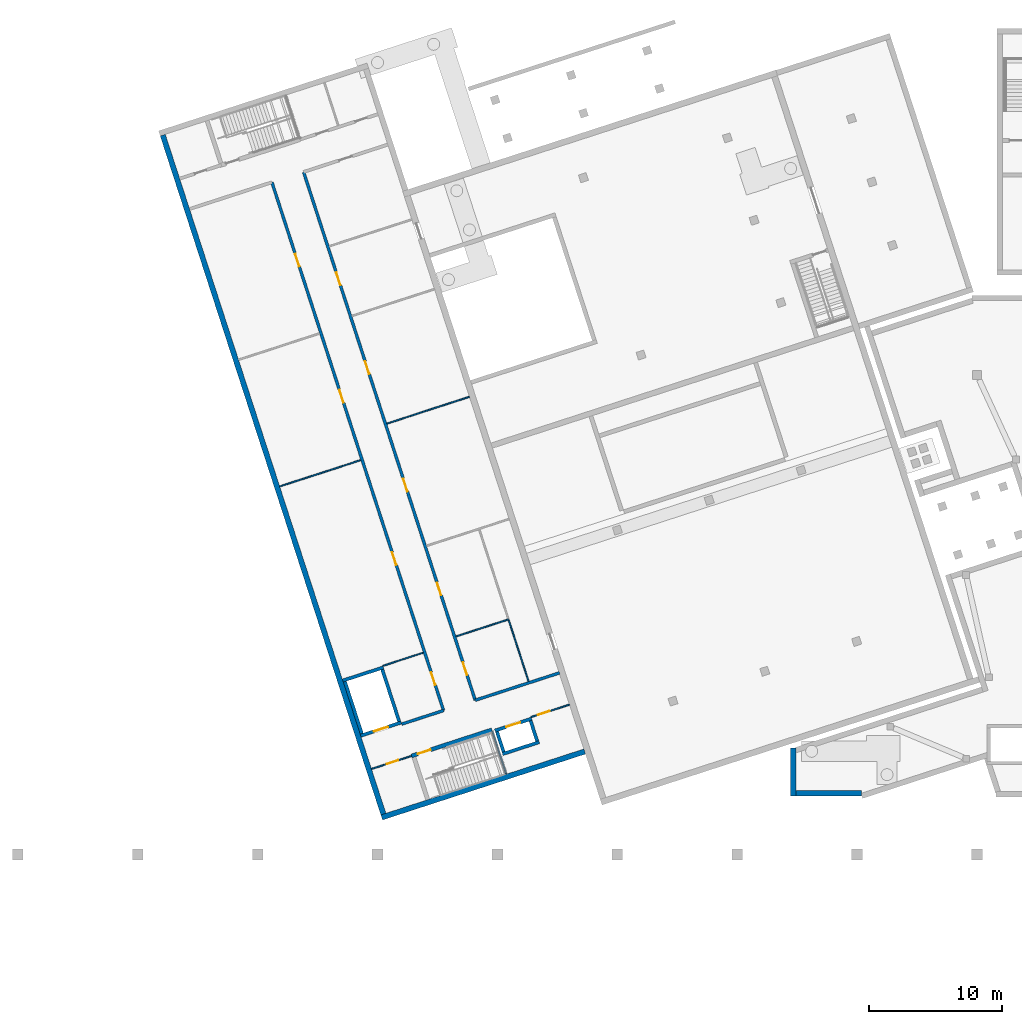
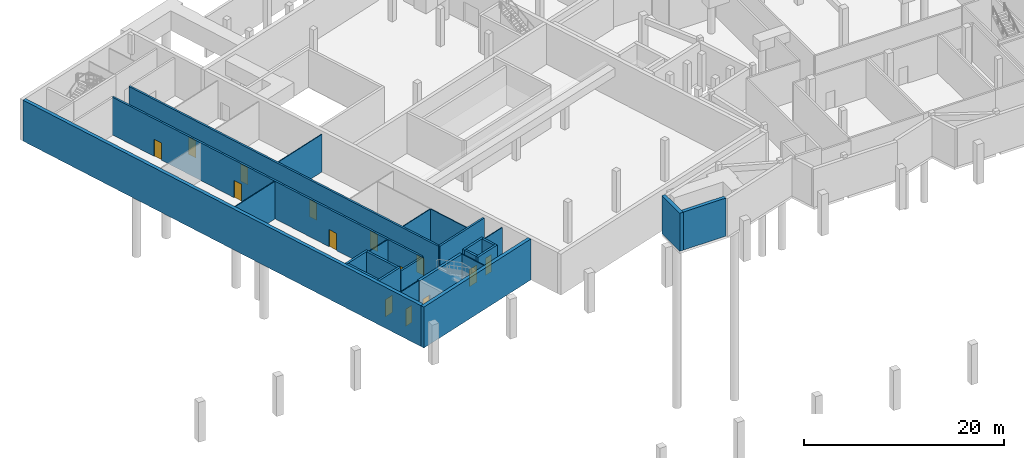
# One storey, part 4 of 15: 25 walls, 14 doors, 14 openings.
"""IFC4 building model written with IfcOpenShell, lengths in metres."""

from ifc_helpers import new_model, si_unit, direction, frame, frame_2d, origin, place, context, subcontext, project, spatial, rectangle, extrude, material, layer, layer_set, type_object, element, fill, save


model = new_model("IFC4")

# Units and contexts
model_context = context("Model", 3, precision=1e-05, world=origin(), true_north=direction((0.0, 1.0)))
body_context = subcontext(model_context, "Body", "Model", "MODEL_VIEW")
ifc_project = project(units=[si_unit("LENGTHUNIT", "METRE"), si_unit("AREAUNIT", "SQUARE_METRE"), si_unit("VOLUMEUNIT", "CUBIC_METRE"), si_unit("PLANEANGLEUNIT", "RADIAN"), si_unit("MASSUNIT", "GRAM", prefix="KILO")], contexts=[model_context])

# Site, building, storey
site_placement = place(None, origin())
site = spatial("IfcSite", under=ifc_project, at=site_placement, CompositionType="ELEMENT")
building_placement = place(site_placement, origin())
building = spatial("IfcBuilding", under=site, at=building_placement, Name="Tuart Plaza Theatre", CompositionType="ELEMENT")
storey_placement = place(building_placement, frame((0.0, 0.0, -5.0)))
storey = spatial("IfcBuildingStorey", under=building, at=storey_placement, Name="B1", CompositionType="ELEMENT", Elevation=-5.0)

# Walls
ifc_material_1 = material(Name="Plasterboard on steel stud", Category="steel")
ifc_layer_1 = layer(ifc_material_1, 0.10009765625)
ifc_layer_set_1 = layer_set([ifc_layer_1], Name="PARTITION STD100")
wall_type_1 = type_object("IfcWallType", Name="PARTITION STD100", PredefinedType="PARTITIONING", material=ifc_layer_set_1)
wall_1_placement = place(storey_placement, frame((33.395751953125, 52.16650390625, 0.0), z_axis=(0.0, 0.0, 1.0), x_axis=(0.951044192343, 0.309054921027, 0.0)))
element("IfcWall", 1, at=wall_1_placement, inside=storey, type_object=wall_type_1, Name="P203", PredefinedType="PARTITIONING", context=body_context, shape_type="SweptSolid", body=[
    extrude(rectangle(XDim=3.18994140625, YDim=0.10009765625, at=frame_2d((1.594970703125, 0.0))), origin(), (0.0, 0.0, 1.0), 4.60009765625),
])
wall_2_placement = place(storey_placement, frame((25.6552734375, 65.6337890625, 0.0), z_axis=(0.0, 0.0, 1.0), x_axis=(0.951055405517, 0.309020412977, 0.0)))
element("IfcWall", 2, at=wall_2_placement, inside=storey, type_object=wall_type_1, Name="P206", PredefinedType="PARTITIONING", context=body_context, shape_type="SweptSolid", body=[
    extrude(rectangle(XDim=6.389892578125, YDim=0.10009765625, at=frame_2d((3.19482421875, 0.0))), origin(), (0.0, 0.0, 1.0), 4.60009765625),
])
wall_3_placement = place(storey_placement, frame((44.34130859375, 51.001953125, 0.0), z_axis=(0.0, 0.0, 1.0), x_axis=(-0.309015353981, 0.95105704929, 0.0)))
element("IfcWall", 3, at=wall_3_placement, inside=storey, type_object=wall_type_1, Name="P214", PredefinedType="PARTITIONING", context=body_context, shape_type="SweptSolid", body=[
    extrude(rectangle(XDim=4.83984375, YDim=0.10009765625, at=frame_2d((2.419921875, 0.0))), origin(), (0.0, 0.0, 1.0), 4.60009765625),
])

# Wall, opening, door
ifc_material_2 = material(Name="Plasterboard on steel stud", Category="steel")
ifc_layer_2 = layer(ifc_material_2, 0.10009765625)
ifc_layer_set_2 = layer_set([ifc_layer_2], Name="PARTITION STD100 FRL -/120/120")
wall_type_2 = type_object("IfcWallType", Name="PARTITION STD100 FRL -/120/120", PredefinedType="PARTITIONING", material=ifc_layer_set_2)
wall_4_placement = place(storey_placement, frame((32.54638671875, 44.42529296875, 0.0), z_axis=(0.0, 0.0, 1.0), x_axis=(0.951058557014, 0.309010713619, 0.0)))
wall_4 = element("IfcWall", 4, at=wall_4_placement, inside=storey, type_object=wall_type_2, Name="P201", PredefinedType="PARTITIONING", context=body_context, shape_type="SweptSolid", body=[
    extrude(rectangle(XDim=3.14990234375, YDim=0.10009765625, at=frame_2d((1.574951171875, 0.0))), origin(), (0.0, 0.0, 1.0), 4.60009765625),
])
opening_1_placement = place(wall_4_placement, frame((1.199951171875, 0.0, 0.0)))
opening_1 = element("IfcOpeningElement", 5, at=opening_1_placement, cuts=wall_4, Name="Opening B1-005", PredefinedType="OPENING", context=body_context, shape_type="SweptSolid", body=[
    extrude(rectangle(XDim=0.89990234375, YDim=2.10009765625, at=frame_2d((0.449951171875, 1.050048828125))), frame((0.0, 0.06005859375, 0.0), z_axis=(0.0, -1.0, 0.0), x_axis=(1.0, 0.0, 0.0)), (0.0, 0.0, 1.0), 0.1201171875),
])
ifc_material_3 = material(Name="Timber", Category="wood")
door_type_1 = type_object("IfcDoorType", Name="DOOR 900x2100 timber single swing FRL -/120/30", OperationType="SINGLE_SWING_LEFT", PredefinedType="DOOR", material=ifc_material_3)
door_1_placement = place(opening_1_placement, frame((0.89990234375, 0.0, 0.0), z_axis=(0.0, 0.0, 1.0), x_axis=(-1.0, 0.0, 0.0)))
door_1 = element("IfcDoor", 6, at=door_1_placement, inside=storey, type_object=door_type_1, Name="B1-005", OperationType="SINGLE_SWING_RIGHT", OverallHeight=2.10009765625, OverallWidth=0.89990234375, PredefinedType="DOOR", context=body_context, shape_type="SweptSolid", body=[
    extrude(rectangle(XDim=0.89990234375, YDim=2.10009765625, at=frame_2d((0.449951171875, 1.050048828125))), frame((0.0, 0.02490234375, 0.0), z_axis=(0.0, -1.0, 0.0), x_axis=(1.0, 0.0, 0.0)), (0.0, 0.0, 1.0), 0.050048828125),
])
fill(opening_1, door_1)

wall_5_placement = place(storey_placement, frame((44.529541015625, 48.31884765625, 0.0), z_axis=(0.0, 0.0, 1.0), x_axis=(0.951053046121, 0.30902767427, 0.0)))
wall_5 = element("IfcWall", 7, at=wall_5_placement, inside=storey, type_object=wall_type_2, Name="P202", PredefinedType="PARTITIONING", context=body_context, shape_type="SweptSolid", body=[
    extrude(rectangle(XDim=3.02490234375, YDim=0.10009765625, at=frame_2d((1.512451171875, 0.0))), origin(), (0.0, 0.0, 1.0), 4.60009765625),
])
opening_2_placement = place(wall_5_placement, frame((0.550048828125, 0.0, 0.0)))
opening_2 = element("IfcOpeningElement", 8, at=opening_2_placement, cuts=wall_5, Name="Opening B1-006", PredefinedType="OPENING", context=body_context, shape_type="SweptSolid", body=[
    extrude(rectangle(XDim=0.89990234375, YDim=2.10009765625, at=frame_2d((0.449951171875, 1.050048828125))), frame((0.0, 0.06005859375, 0.0), z_axis=(0.0, -1.0, 0.0), x_axis=(1.0, 0.0, 0.0)), (0.0, 0.0, 1.0), 0.1201171875),
])
door_2_placement = place(opening_2_placement, frame((0.89990234375, 0.0, 0.0), z_axis=(0.0, 0.0, 1.0), x_axis=(-1.0, 0.0, 0.0)))
door_2 = element("IfcDoor", 9, at=door_2_placement, inside=storey, type_object=door_type_1, Name="B1-006", OperationType="SINGLE_SWING_LEFT", OverallHeight=2.10009765625, OverallWidth=0.89990234375, PredefinedType="DOOR", context=body_context, shape_type="SweptSolid", body=[
    extrude(rectangle(XDim=0.89990234375, YDim=2.10009765625, at=frame_2d((0.449951171875, 1.050048828125))), frame((0.0, 0.02490234375, 0.0), z_axis=(0.0, -1.0, 0.0), x_axis=(1.0, 0.0, 0.0)), (0.0, 0.0, 1.0), 0.050048828125),
])
fill(opening_2, door_2)

# Walls
wall_6_placement = place(storey_placement, frame((38.892822265625, 54.373291015625, 0.0), z_axis=(0.0, 0.0, 1.0), x_axis=(0.95105616864, 0.309018064344, 0.0)))
element("IfcWall", 10, at=wall_6_placement, inside=storey, type_object=wall_type_2, Name="P204", PredefinedType="PARTITIONING", context=body_context, shape_type="SweptSolid", body=[
    extrude(rectangle(XDim=4.139892578125, YDim=0.10009765625, at=frame_2d((2.06982421875, 0.0))), origin(), (0.0, 0.0, 1.0), 4.60009765625),
])
wall_7_placement = place(storey_placement, frame((33.701416015625, 70.35107421875, 0.0), z_axis=(0.0, 0.0, 1.0), x_axis=(0.951058024796, 0.309012351648, 0.0)))
element("IfcWall", 11, at=wall_7_placement, inside=storey, type_object=wall_type_2, Name="P207", PredefinedType="PARTITIONING", context=body_context, shape_type="SweptSolid", body=[
    extrude(rectangle(XDim=6.514892578125, YDim=0.10009765625, at=frame_2d((3.25732421875, 0.0))), origin(), (0.0, 0.0, 1.0), 4.60009765625),
])
ifc_material_4 = material(Name="Plasterboard on steel stud", Category="steel")
ifc_layer_3 = layer(ifc_material_4, 0.10009765625)
ifc_layer_set_3 = layer_set([ifc_layer_3], Name="PARTITION STD100 FRL 120/120/120")
wall_type_3 = type_object("IfcWallType", Name="PARTITION STD100 FRL 120/120/120", PredefinedType="PARTITIONING", material=ifc_layer_set_3)
wall_8_placement = place(storey_placement, frame((42.662841796875, 44.0322265625, 0.0), z_axis=(0.0, 0.0, 1.0), x_axis=(-0.309003676349, 0.951060843481, 0.0)))
element("IfcWall", 12, at=wall_8_placement, inside=storey, type_object=wall_type_3, Name="P211", PredefinedType="PARTITIONING", context=body_context, shape_type="SweptSolid", body=[
    extrude(rectangle(XDim=3.35009765625, YDim=0.10009765625, at=frame_2d((1.675048828125, 0.0))), origin(), (0.0, 0.0, 1.0), 4.60009765625),
])
ifc_material_5 = material(Name="Concrete N40 (40 MPa)", Category="concrete")
ifc_layer_4 = layer(ifc_material_5, 0.25)
ifc_layer_set_4 = layer_set([ifc_layer_4], Name="SHEAR WALL RC250 FRL 120/120/120")
wall_type_4 = type_object("IfcWallType", Name="SHEAR WALL RC250 FRL 120/120/120", PredefinedType="SHEAR", material=ifc_layer_set_4)
wall_9_placement = place(storey_placement, frame((42.3818359375, 45.54443359375, 0.0), z_axis=(0.0, 0.0, 1.0), x_axis=(0.951071801089, 0.308969948659, 0.0)))
element("IfcWall", 13, at=wall_9_placement, inside=storey, type_object=wall_type_4, Name="W168", PredefinedType="SHEAR", context=body_context, shape_type="SweptSolid", body=[
    extrude(rectangle(XDim=2.89990234375, YDim=0.25, at=frame_2d((1.449951171875, 0.0))), origin(), (0.0, 0.0, 1.0), 5.0),
])
wall_10_placement = place(storey_placement, frame((44.982421875, 46.520751953125, 0.0), z_axis=(0.0, 0.0, 1.0), x_axis=(-0.308986014439, 0.951066581729, 0.0)))
element("IfcWall", 14, at=wall_10_placement, inside=storey, type_object=wall_type_4, Name="W169", PredefinedType="SHEAR", context=body_context, shape_type="SweptSolid", body=[
    extrude(rectangle(XDim=1.60009765625, YDim=0.25, at=frame_2d((0.800048828125, 0.0))), origin(), (0.0, 0.0, 1.0), 5.0),
])

# Wall, opening, door
wall_11_placement = place(storey_placement, frame((44.568359375, 48.199951171875, 0.0), z_axis=(0.0, 0.0, 1.0), x_axis=(-0.951047059821, -0.309046096893, 0.0)))
wall_11 = element("IfcWall", 15, at=wall_11_placement, inside=storey, type_object=wall_type_4, Name="W170", PredefinedType="SHEAR", context=body_context, shape_type="SweptSolid", body=[
    extrude(rectangle(XDim=2.89990234375, YDim=0.25, at=frame_2d((1.449951171875, 0.0))), origin(), (0.0, 0.0, 1.0), 5.0),
])
opening_3_placement = place(wall_11_placement, frame((0.89990234375, 0.0, 0.0)))
opening_3 = element("IfcOpeningElement", 16, at=opening_3_placement, cuts=wall_11, Name="Opening B1-001", PredefinedType="OPENING", context=body_context, shape_type="SweptSolid", body=[
    extrude(rectangle(XDim=1.10009765625, YDim=2.10009765625, at=frame_2d((0.550048828125, 1.050048828125))), frame((0.0, 0.135009765625, 0.0), z_axis=(0.0, -1.0, 0.0), x_axis=(1.0, 0.0, 0.0)), (0.0, 0.0, 1.0), 0.27001953125),
])
ifc_material_6 = material(Name="Steel Grade 300", Category="steel")
door_type_2 = type_object("IfcDoorType", Name="LANDING DOOR 1100x2100 steel sliding FRL -/120/30", OperationType="SLIDING_TO_LEFT", PredefinedType="DOOR", material=ifc_material_6)
door_3_placement = place(opening_3_placement, origin())
door_3 = element("IfcDoor", 17, at=door_3_placement, inside=storey, type_object=door_type_2, Name="B1-001", OperationType="SLIDING_TO_LEFT", OverallHeight=2.10009765625, OverallWidth=1.10009765625, PredefinedType="DOOR", context=body_context, shape_type="SweptSolid", body=[
    extrude(rectangle(XDim=1.10009765625, YDim=2.10009765625, at=frame_2d((0.550048828125, 1.050048828125))), frame((0.0, 0.02490234375, 0.0), z_axis=(0.0, -1.0, 0.0), x_axis=(1.0, 0.0, 0.0)), (0.0, 0.0, 1.0), 0.050048828125),
])
fill(opening_3, door_3)

# Wall
wall_12_placement = place(storey_placement, frame((41.9677734375, 47.2236328125, 0.0), z_axis=(0.0, 0.0, 1.0), x_axis=(0.308986014439, -0.951066581729, 0.0)))
element("IfcWall", 18, at=wall_12_placement, inside=storey, type_object=wall_type_4, Name="W171", PredefinedType="SHEAR", context=body_context, shape_type="SweptSolid", body=[
    extrude(rectangle(XDim=1.60009765625, YDim=0.25, at=frame_2d((0.800048828125, 0.0))), origin(), (0.0, 0.0, 1.0), 5.0),
])

# Wall, opening, door
wall_13_placement = place(storey_placement, frame((31.735107421875, 46.921630859375, 0.0), z_axis=(0.0, 0.0, 1.0), x_axis=(0.95104415986, 0.309055020985, 0.0)))
wall_13 = element("IfcWall", 19, at=wall_13_placement, inside=storey, type_object=wall_type_4, Name="W200", PredefinedType="SHEAR", context=body_context, shape_type="SweptSolid", body=[
    extrude(rectangle(XDim=3.2001953125, YDim=0.25, at=frame_2d((1.60009765625, 0.0))), origin(), (0.0, 0.0, 1.0), 5.0),
])
opening_4_placement = place(wall_13_placement, frame((1.050048828125, 0.0, 0.0)))
opening_4 = element("IfcOpeningElement", 20, at=opening_4_placement, cuts=wall_13, Name="Opening B1-002", PredefinedType="OPENING", context=body_context, shape_type="SweptSolid", body=[
    extrude(rectangle(XDim=1.10009765625, YDim=2.10009765625, at=frame_2d((0.550048828125, 1.050048828125))), frame((0.0, 0.135009765625, 0.0), z_axis=(0.0, -1.0, 0.0), x_axis=(1.0, 0.0, 0.0)), (0.0, 0.0, 1.0), 0.27001953125),
])
door_4_placement = place(opening_4_placement, origin())
door_4 = element("IfcDoor", 21, at=door_4_placement, inside=storey, type_object=door_type_2, Name="B1-002", OperationType="SLIDING_TO_LEFT", OverallHeight=2.10009765625, OverallWidth=1.10009765625, PredefinedType="DOOR", context=body_context, shape_type="SweptSolid", body=[
    extrude(rectangle(XDim=1.10009765625, YDim=2.10009765625, at=frame_2d((0.550048828125, 1.050048828125))), frame((0.0, 0.02490234375, 0.0), z_axis=(0.0, -1.0, 0.0), x_axis=(1.0, 0.0, 0.0)), (0.0, 0.0, 1.0), 0.050048828125),
])
fill(opening_4, door_4)

# Walls
wall_14_placement = place(storey_placement, frame((34.62109375, 47.990966796875, 0.0), z_axis=(0.0, 0.0, 1.0), x_axis=(-0.309055103076, 0.951044133184, 0.0)))
element("IfcWall", 22, at=wall_14_placement, inside=storey, type_object=wall_type_4, Name="W201", PredefinedType="SHEAR", context=body_context, shape_type="SweptSolid", body=[
    extrude(rectangle(XDim=4.099853515625, YDim=0.25, at=frame_2d((2.0498046875, 0.0))), origin(), (0.0, 0.0, 1.0), 5.0),
])
wall_15_placement = place(storey_placement, frame((33.434326171875, 52.047607421875, 0.0), z_axis=(0.0, 0.0, 1.0), x_axis=(-0.951066581729, -0.308986014439, 0.0)))
element("IfcWall", 23, at=wall_15_placement, inside=storey, type_object=wall_type_4, Name="W202", PredefinedType="SHEAR", context=body_context, shape_type="SweptSolid", body=[
    extrude(rectangle(XDim=3.199951171875, YDim=0.25, at=frame_2d((1.60009765625, 0.0))), origin(), (0.0, 0.0, 1.0), 5.0),
])
wall_16_placement = place(storey_placement, frame((30.54833984375, 50.978515625, 0.0), z_axis=(0.0, 0.0, 1.0), x_axis=(0.309055103076, -0.951044133184, 0.0)))
element("IfcWall", 24, at=wall_16_placement, inside=storey, type_object=wall_type_4, Name="W203", PredefinedType="SHEAR", context=body_context, shape_type="SweptSolid", body=[
    extrude(rectangle(XDim=4.099853515625, YDim=0.25, at=frame_2d((2.0498046875, 0.0))), origin(), (0.0, 0.0, 1.0), 5.0),
])
ifc_material_7 = material(Name="Concrete N40 (40 MPa)", Category="concrete")
ifc_layer_5 = layer(ifc_material_7, 0.39990234375)
ifc_layer_set_5 = layer_set([ifc_layer_5], Name="SHEAR WALL RC400 FRL 120/120/120 EXT")
wall_type_5 = type_object("IfcWallType", Name="SHEAR WALL RC400 FRL 120/120/120 EXT", PredefinedType="SHEAR", material=ifc_layer_set_5)
wall_17_placement = place(storey_placement, frame((69.321044921875, 42.60009765625, 0.0), z_axis=(0.0, 0.0, 1.0), x_axis=(-1.0, 0.0, 0.0)))
element("IfcWall", 25, at=wall_17_placement, inside=storey, type_object=wall_type_5, Name="W320", PredefinedType="SHEAR", context=body_context, shape_type="SweptSolid", body=[
    extrude(rectangle(XDim=4.921142578125, YDim=0.39990234375, at=frame_2d((2.46044921875, 0.0))), origin(), (0.0, 0.0, 1.0), 4.64990234375),
])
wall_18_placement = place(storey_placement, frame((64.199951171875, 42.39990234375, 0.0), z_axis=(0.0, 0.0, 1.0), x_axis=(0.0, 1.0, 0.0)))
element("IfcWall", 26, at=wall_18_placement, inside=storey, type_object=wall_type_5, Name="W321", PredefinedType="SHEAR", context=body_context, shape_type="SweptSolid", body=[
    extrude(rectangle(XDim=3.5830078125, YDim=0.39990234375, at=frame_2d((1.79150390625, 0.0))), origin(), (0.0, 0.0, 1.0), 4.64990234375),
])

# Wall, openings, doors
ifc_material_8 = material(Name="Concrete N40 (40 MPa)", Category="concrete")
ifc_layer_6 = layer(ifc_material_8, 0.219970703125)
ifc_layer_set_6 = layer_set([ifc_layer_6], Name="WALL RC220 LB FRL 120/120/120")
wall_type_6 = type_object("IfcWallType", Name="WALL RC220 LB FRL 120/120/120", PredefinedType="SOLIDWALL", material=ifc_layer_set_6)
wall_19_placement = place(storey_placement, frame((37.95556640625, 48.8115234375, 0.0), z_axis=(0.0, 0.0, 1.0), x_axis=(-0.30901736393, 0.951056396219, 0.0)))
wall_19 = element("IfcWall", 27, at=wall_19_placement, inside=storey, type_object=wall_type_6, Name="W495", PredefinedType="SOLIDWALL", context=body_context, shape_type="SweptSolid", body=[
    extrude(rectangle(XDim=41.699951171875, YDim=0.219970703125, at=frame_2d((20.85009765625, 0.0))), origin(), (0.0, 0.0, 1.0), 4.60009765625),
])
opening_5_placement = place(wall_19_placement, frame((2.009033203125, 0.0, 0.0)))
opening_5 = element("IfcOpeningElement", 28, at=opening_5_placement, cuts=wall_19, Name="Opening B1-010", PredefinedType="OPENING", context=body_context, shape_type="SweptSolid", body=[
    extrude(rectangle(XDim=1.0, YDim=2.10009765625, at=frame_2d((0.5, 1.050048828125))), frame((0.0, 0.119873046875, 0.0), z_axis=(0.0, -1.0, 0.0), x_axis=(1.0, 0.0, 0.0)), (0.0, 0.0, 1.0), 0.239990234375),
])
opening_6_placement = place(wall_19_placement, frame((11.49462890625, 0.0, 0.0)))
opening_6 = element("IfcOpeningElement", 29, at=opening_6_placement, cuts=wall_19, Name="Opening B1-011", PredefinedType="OPENING", context=body_context, shape_type="SweptSolid", body=[
    extrude(rectangle(XDim=1.0, YDim=2.10009765625, at=frame_2d((0.5, 1.050048828125))), frame((0.0, 0.119873046875, 0.0), z_axis=(0.0, -1.0, 0.0), x_axis=(1.0, 0.0, 0.0)), (0.0, 0.0, 1.0), 0.239990234375),
])
opening_7_placement = place(wall_19_placement, frame((24.300048828125, 0.0, 0.0)))
opening_7 = element("IfcOpeningElement", 30, at=opening_7_placement, cuts=wall_19, Name="Opening B1-012", PredefinedType="OPENING", context=body_context, shape_type="SweptSolid", body=[
    extrude(rectangle(XDim=1.0, YDim=2.10009765625, at=frame_2d((0.5, 1.050048828125))), frame((0.0, 0.119873046875, 0.0), z_axis=(0.0, -1.0, 0.0), x_axis=(1.0, 0.0, 0.0)), (0.0, 0.0, 1.0), 0.239990234375),
])
opening_8_placement = place(wall_19_placement, frame((35.044921875, 0.0, 0.0)))
opening_8 = element("IfcOpeningElement", 31, at=opening_8_placement, cuts=wall_19, Name="Opening B1-013", PredefinedType="OPENING", context=body_context, shape_type="SweptSolid", body=[
    extrude(rectangle(XDim=1.0, YDim=2.10009765625, at=frame_2d((0.5, 1.050048828125))), frame((0.0, 0.119873046875, 0.0), z_axis=(0.0, -1.0, 0.0), x_axis=(1.0, 0.0, 0.0)), (0.0, 0.0, 1.0), 0.239990234375),
])
ifc_material_9 = material(Name="Timber", Category="wood")
door_type_3 = type_object("IfcDoorType", Name="DOOR 1000x2100 timber single swing FRL -/120/30", OperationType="SINGLE_SWING_LEFT", PredefinedType="DOOR", material=ifc_material_9)
door_5_placement = place(opening_5_placement, origin())
door_5 = element("IfcDoor", 32, at=door_5_placement, inside=storey, type_object=door_type_3, Name="B1-010", OperationType="SINGLE_SWING_LEFT", OverallHeight=2.10009765625, OverallWidth=1.0, PredefinedType="DOOR", context=body_context, shape_type="SweptSolid", body=[
    extrude(rectangle(XDim=1.0, YDim=2.10009765625, at=frame_2d((0.5, 1.050048828125))), frame((0.0, 0.02490234375, 0.0), z_axis=(0.0, -1.0, 0.0), x_axis=(1.0, 0.0, 0.0)), (0.0, 0.0, 1.0), 0.050048828125),
])
fill(opening_5, door_5)
door_6_placement = place(opening_6_placement, origin())
door_6 = element("IfcDoor", 33, at=door_6_placement, inside=storey, type_object=door_type_3, Name="B1-011", OperationType="SINGLE_SWING_RIGHT", OverallHeight=2.10009765625, OverallWidth=1.0, PredefinedType="DOOR", context=body_context, shape_type="SweptSolid", body=[
    extrude(rectangle(XDim=1.0, YDim=2.10009765625, at=frame_2d((0.5, 1.050048828125))), frame((0.0, 0.02490234375, 0.0), z_axis=(0.0, -1.0, 0.0), x_axis=(1.0, 0.0, 0.0)), (0.0, 0.0, 1.0), 0.050048828125),
])
fill(opening_6, door_6)
door_7_placement = place(opening_7_placement, origin())
door_7 = element("IfcDoor", 34, at=door_7_placement, inside=storey, type_object=door_type_3, Name="B1-012", OperationType="SINGLE_SWING_LEFT", OverallHeight=2.10009765625, OverallWidth=1.0, PredefinedType="DOOR", context=body_context, shape_type="SweptSolid", body=[
    extrude(rectangle(XDim=1.0, YDim=2.10009765625, at=frame_2d((0.5, 1.050048828125))), frame((0.0, 0.02490234375, 0.0), z_axis=(0.0, -1.0, 0.0), x_axis=(1.0, 0.0, 0.0)), (0.0, 0.0, 1.0), 0.050048828125),
])
fill(opening_7, door_7)
door_8_placement = place(opening_8_placement, origin())
door_8 = element("IfcDoor", 35, at=door_8_placement, inside=storey, type_object=door_type_3, Name="B1-013", OperationType="SINGLE_SWING_LEFT", OverallHeight=2.10009765625, OverallWidth=1.0, PredefinedType="DOOR", context=body_context, shape_type="SweptSolid", body=[
    extrude(rectangle(XDim=1.0, YDim=2.10009765625, at=frame_2d((0.5, 1.050048828125))), frame((0.0, 0.02490234375, 0.0), z_axis=(0.0, -1.0, 0.0), x_axis=(1.0, 0.0, 0.0)), (0.0, 0.0, 1.0), 0.050048828125),
])
fill(opening_8, door_8)

wall_20_placement = place(storey_placement, frame((40.333251953125, 49.583984375, 0.0), z_axis=(0.0, 0.0, 1.0), x_axis=(-0.309015643281, 0.951056955291, 0.0)))
wall_20 = element("IfcWall", 36, at=wall_20_placement, inside=storey, type_object=wall_type_6, Name="W496", PredefinedType="SOLIDWALL", context=body_context, shape_type="SweptSolid", body=[
    extrude(rectangle(XDim=41.7001953125, YDim=0.219970703125, at=frame_2d((20.85009765625, 0.0))), origin(), (0.0, 0.0, 1.0), 4.60009765625),
])
opening_9_placement = place(wall_20_placement, frame((2.0, 0.0, 0.0)))
opening_9 = element("IfcOpeningElement", 37, at=opening_9_placement, cuts=wall_20, Name="Opening B1-014", PredefinedType="OPENING", context=body_context, shape_type="SweptSolid", body=[
    extrude(rectangle(XDim=1.0, YDim=2.10009765625, at=frame_2d((0.5, 1.050048828125))), frame((0.0, 0.119873046875, 0.0), z_axis=(0.0, -1.0, 0.0), x_axis=(1.0, 0.0, 0.0)), (0.0, 0.0, 1.0), 0.239990234375),
])
opening_10_placement = place(wall_20_placement, frame((8.285400390625, 0.0, 0.0)))
opening_10 = element("IfcOpeningElement", 38, at=opening_10_placement, cuts=wall_20, Name="Opening B1-015", PredefinedType="OPENING", context=body_context, shape_type="SweptSolid", body=[
    extrude(rectangle(XDim=1.0, YDim=2.10009765625, at=frame_2d((0.5, 1.050048828125))), frame((0.0, 0.119873046875, 0.0), z_axis=(0.0, -1.0, 0.0), x_axis=(1.0, 0.0, 0.0)), (0.0, 0.0, 1.0), 0.239990234375),
])
opening_11_placement = place(wall_20_placement, frame((16.47509765625, 0.0, 0.0)))
opening_11 = element("IfcOpeningElement", 39, at=opening_11_placement, cuts=wall_20, Name="Opening B1-016", PredefinedType="OPENING", context=body_context, shape_type="SweptSolid", body=[
    extrude(rectangle(XDim=1.0, YDim=2.10009765625, at=frame_2d((0.5, 1.050048828125))), frame((0.0, 0.119873046875, 0.0), z_axis=(0.0, -1.0, 0.0), x_axis=(1.0, 0.0, 0.0)), (0.0, 0.0, 1.0), 0.239990234375),
])
opening_12_placement = place(wall_20_placement, frame((25.75244140625, 0.0, 0.0)))
opening_12 = element("IfcOpeningElement", 40, at=opening_12_placement, cuts=wall_20, Name="Opening B1-017", PredefinedType="OPENING", context=body_context, shape_type="SweptSolid", body=[
    extrude(rectangle(XDim=1.0, YDim=2.10009765625, at=frame_2d((0.5, 1.050048828125))), frame((0.0, 0.119873046875, 0.0), z_axis=(0.0, -1.0, 0.0), x_axis=(1.0, 0.0, 0.0)), (0.0, 0.0, 1.0), 0.239990234375),
])
opening_13_placement = place(wall_20_placement, frame((32.761474609375, 0.0, 0.0)))
opening_13 = element("IfcOpeningElement", 41, at=opening_13_placement, cuts=wall_20, Name="Opening B1-018", PredefinedType="OPENING", context=body_context, shape_type="SweptSolid", body=[
    extrude(rectangle(XDim=1.0, YDim=2.10009765625, at=frame_2d((0.5, 1.050048828125))), frame((0.0, 0.119873046875, 0.0), z_axis=(0.0, -1.0, 0.0), x_axis=(1.0, 0.0, 0.0)), (0.0, 0.0, 1.0), 0.239990234375),
])
door_9_placement = place(opening_9_placement, origin())
door_9 = element("IfcDoor", 42, at=door_9_placement, inside=storey, type_object=door_type_3, Name="B1-014", OperationType="SINGLE_SWING_RIGHT", OverallHeight=2.10009765625, OverallWidth=1.0, PredefinedType="DOOR", context=body_context, shape_type="SweptSolid", body=[
    extrude(rectangle(XDim=1.0, YDim=2.10009765625, at=frame_2d((0.5, 1.050048828125))), frame((0.0, 0.02490234375, 0.0), z_axis=(0.0, -1.0, 0.0), x_axis=(1.0, 0.0, 0.0)), (0.0, 0.0, 1.0), 0.050048828125),
])
fill(opening_9, door_9)
door_10_placement = place(opening_10_placement, frame((1.0, 0.0, 0.0), z_axis=(0.0, 0.0, 1.0), x_axis=(-1.0, 0.0, 0.0)))
door_10 = element("IfcDoor", 43, at=door_10_placement, inside=storey, type_object=door_type_3, Name="B1-015", OperationType="SINGLE_SWING_LEFT", OverallHeight=2.10009765625, OverallWidth=1.0, PredefinedType="DOOR", context=body_context, shape_type="SweptSolid", body=[
    extrude(rectangle(XDim=1.0, YDim=2.10009765625, at=frame_2d((0.5, 1.050048828125))), frame((0.0, 0.02490234375, 0.0), z_axis=(0.0, -1.0, 0.0), x_axis=(1.0, 0.0, 0.0)), (0.0, 0.0, 1.0), 0.050048828125),
])
fill(opening_10, door_10)
door_11_placement = place(opening_11_placement, frame((1.0, 0.0, 0.0), z_axis=(0.0, 0.0, 1.0), x_axis=(-1.0, 0.0, 0.0)))
door_11 = element("IfcDoor", 44, at=door_11_placement, inside=storey, type_object=door_type_3, Name="B1-016", OperationType="SINGLE_SWING_LEFT", OverallHeight=2.10009765625, OverallWidth=1.0, PredefinedType="DOOR", context=body_context, shape_type="SweptSolid", body=[
    extrude(rectangle(XDim=1.0, YDim=2.10009765625, at=frame_2d((0.5, 1.050048828125))), frame((0.0, 0.02490234375, 0.0), z_axis=(0.0, -1.0, 0.0), x_axis=(1.0, 0.0, 0.0)), (0.0, 0.0, 1.0), 0.050048828125),
])
fill(opening_11, door_11)
door_12_placement = place(opening_12_placement, frame((1.0, 0.0, 0.0), z_axis=(0.0, 0.0, 1.0), x_axis=(-1.0, 0.0, 0.0)))
door_12 = element("IfcDoor", 45, at=door_12_placement, inside=storey, type_object=door_type_3, Name="B1-017", OperationType="SINGLE_SWING_RIGHT", OverallHeight=2.10009765625, OverallWidth=1.0, PredefinedType="DOOR", context=body_context, shape_type="SweptSolid", body=[
    extrude(rectangle(XDim=1.0, YDim=2.10009765625, at=frame_2d((0.5, 1.050048828125))), frame((0.0, 0.02490234375, 0.0), z_axis=(0.0, -1.0, 0.0), x_axis=(1.0, 0.0, 0.0)), (0.0, 0.0, 1.0), 0.050048828125),
])
fill(opening_12, door_12)
door_13_placement = place(opening_13_placement, frame((1.0, 0.0, 0.0), z_axis=(0.0, 0.0, 1.0), x_axis=(-1.0, 0.0, 0.0)))
door_13 = element("IfcDoor", 46, at=door_13_placement, inside=storey, type_object=door_type_3, Name="B1-018", OperationType="SINGLE_SWING_LEFT", OverallHeight=2.10009765625, OverallWidth=1.0, PredefinedType="DOOR", context=body_context, shape_type="SweptSolid", body=[
    extrude(rectangle(XDim=1.0, YDim=2.10009765625, at=frame_2d((0.5, 1.050048828125))), frame((0.0, 0.02490234375, 0.0), z_axis=(0.0, -1.0, 0.0), x_axis=(1.0, 0.0, 0.0)), (0.0, 0.0, 1.0), 0.050048828125),
])
fill(opening_13, door_13)

# Walls
wall_21_placement = place(storey_placement, frame((34.817138671875, 47.791748046875, 0.0), z_axis=(0.0, 0.0, 1.0), x_axis=(0.951053095941, 0.309027520945, 0.0)))
element("IfcWall", 47, at=wall_21_placement, inside=storey, type_object=wall_type_6, Name="W497", PredefinedType="SOLIDWALL", context=body_context, shape_type="SweptSolid", body=[
    extrude(rectangle(XDim=3.300048828125, YDim=0.219970703125, at=frame_2d((1.64990234375, 0.0))), origin(), (0.0, 0.0, 1.0), 4.60009765625),
])
wall_22_placement = place(storey_placement, frame((40.333251953125, 49.583984375, 0.0), z_axis=(0.0, 0.0, 1.0), x_axis=(0.95105699893, 0.309015508975, 0.0)))
element("IfcWall", 48, at=wall_22_placement, inside=storey, type_object=wall_type_6, Name="W498", PredefinedType="SOLIDWALL", context=body_context, shape_type="SweptSolid", body=[
    extrude(rectangle(XDim=6.64990234375, YDim=0.219970703125, at=frame_2d((3.324951171875, 0.0))), origin(), (0.0, 0.0, 1.0), 4.60009765625),
])

# Wall, opening, door
ifc_material_10 = material(Name="Concrete N40 (40 MPa)", Category="concrete")
ifc_layer_7 = layer(ifc_material_10, 0.300048828125)
ifc_layer_set_7 = layer_set([ifc_layer_7], Name="WALL RC300 LB FRL 120/120/120")
wall_type_7 = type_object("IfcWallType", Name="WALL RC300 LB FRL 120/120/120", PredefinedType="SOLIDWALL", material=ifc_layer_set_7)
wall_23_placement = place(storey_placement, frame((41.581298828125, 47.36083984375, 0.0), z_axis=(0.0, 0.0, 1.0), x_axis=(-0.951058929949, -0.309009565815, 0.0)))
wall_23 = element("IfcWall", 49, at=wall_23_placement, inside=storey, type_object=wall_type_7, Name="W99", PredefinedType="SOLIDWALL", context=body_context, shape_type="SweptSolid", body=[
    extrude(rectangle(XDim=6.349853515625, YDim=0.300048828125, at=frame_2d((3.1748046875, 0.0))), origin(), (0.0, 0.0, 1.0), 4.60009765625),
])
opening_14_placement = place(wall_23_placement, frame((4.85009765625, 0.0, 0.0)))
opening_14 = element("IfcOpeningElement", 50, at=opening_14_placement, cuts=wall_23, Name="Opening B1-020", PredefinedType="OPENING", context=body_context, shape_type="SweptSolid", body=[
    extrude(rectangle(XDim=1.0, YDim=2.10009765625, at=frame_2d((0.5, 1.050048828125))), frame((0.0, 0.159912109375, 0.0), z_axis=(0.0, -1.0, 0.0), x_axis=(1.0, 0.0, 0.0)), (0.0, 0.0, 1.0), 0.320068359375),
])
door_14_placement = place(opening_14_placement, origin())
door_14 = element("IfcDoor", 51, at=door_14_placement, inside=storey, type_object=door_type_3, Name="B1-020", OperationType="SINGLE_SWING_LEFT", OverallHeight=2.10009765625, OverallWidth=1.0, PredefinedType="DOOR", context=body_context, shape_type="SweptSolid", body=[
    extrude(rectangle(XDim=1.0, YDim=2.10009765625, at=frame_2d((0.5, 1.050048828125))), frame((0.0, 0.02490234375, 0.0), z_axis=(0.0, -1.0, 0.0), x_axis=(1.0, 0.0, 0.0)), (0.0, 0.0, 1.0), 0.050048828125),
])
fill(opening_14, door_14)

# Walls
ifc_material_11 = material(Name="Concrete N40 (40 MPa)", Category="concrete")
ifc_layer_8 = layer(ifc_material_11, 0.39990234375)
ifc_layer_set_8 = layer_set([ifc_layer_8], Name="WALL RC400 LB FRL 120/120/120")
wall_type_8 = type_object("IfcWallType", Name="WALL RC400 LB FRL 120/120/120", PredefinedType="SOLIDWALL", material=ifc_layer_set_8)
wall_24_placement = place(storey_placement, frame((48.550048828125, 45.734619140625, 0.0), z_axis=(0.0, 0.0, 1.0), x_axis=(-0.951058472728, -0.309010973029, 0.0)))
element("IfcWall", 52, at=wall_24_placement, inside=storey, type_object=wall_type_8, Name="W13", PredefinedType="SOLIDWALL", context=body_context, shape_type="SweptSolid", body=[
    extrude(rectangle(XDim=16.02490234375, YDim=0.39990234375, at=frame_2d((8.012451171875, 0.0))), origin(), (0.0, 0.0, 1.0), 5.0),
])
wall_25_placement = place(storey_placement, frame((33.437744140625, 41.03466796875, 0.0), z_axis=(0.0, 0.0, 1.0), x_axis=(-0.309020156104, 0.951055488981, 0.0)))
element("IfcWall", 53, at=wall_25_placement, inside=storey, type_object=wall_type_8, Name="W14", PredefinedType="SOLIDWALL", context=body_context, shape_type="SweptSolid", body=[
    extrude(rectangle(XDim=53.60009765625, YDim=0.39990234375, at=frame_2d((26.800048828125, 0.0))), origin(), (0.0, 0.0, 1.0), 5.0),
])

save(model, "model.ifc")
